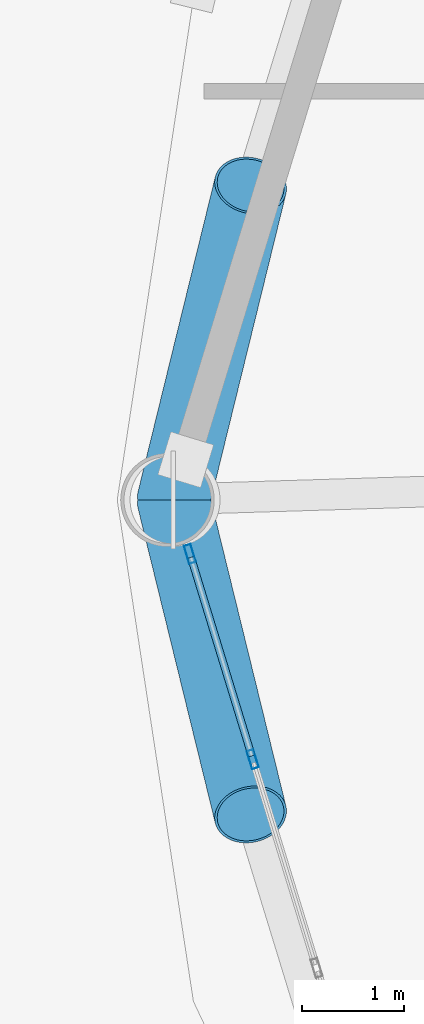
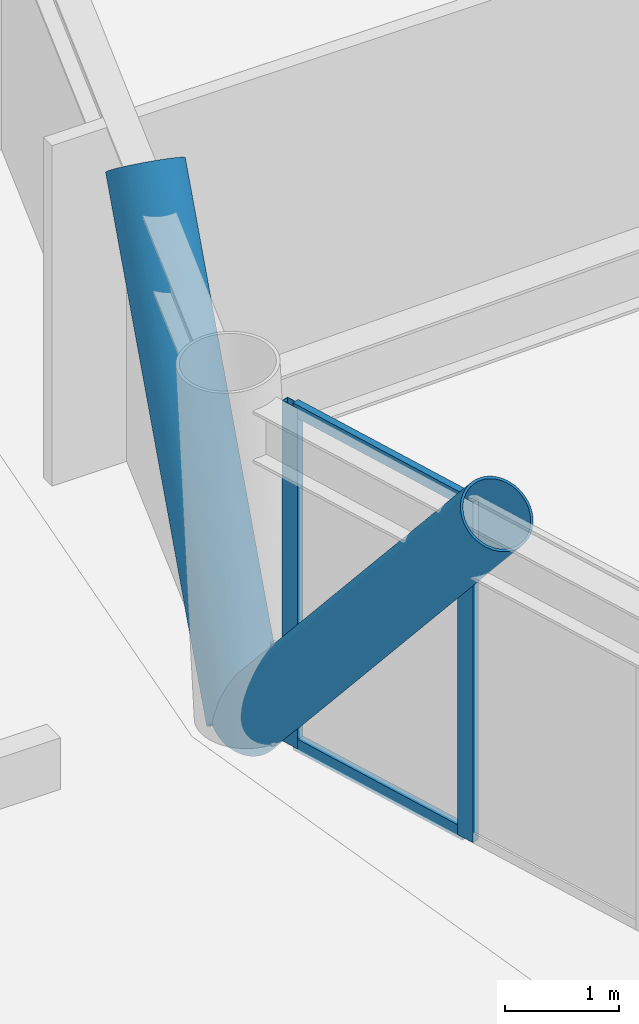
# One storey, part 7 of 24: 6 members, 1 element without a shape of its own.
"""IFC4 building model written with IfcOpenShell, lengths in metres."""

from ifc_helpers import new_model, si_unit, direction, frame, origin, origin_2d, place, context, subcontext, project, spatial, hollow_rectangle, hollow_circle, extrude, material, layer, layer_set, material_profile, profile_set, type_object, element, aggregate, save


model = new_model("IFC4")

# Units and contexts
model_context = context("Model", 3, precision=1e-05, world=origin(), true_north=direction((0.0, 1.0)))
body_context = subcontext(model_context, "Body", "Model", "MODEL_VIEW")
ifc_project = project(units=[si_unit("LENGTHUNIT", "METRE"), si_unit("AREAUNIT", "SQUARE_METRE"), si_unit("VOLUMEUNIT", "CUBIC_METRE"), si_unit("PLANEANGLEUNIT", "RADIAN"), si_unit("MASSUNIT", "GRAM", prefix="KILO")], contexts=[model_context])

# Site, building, storey
site_placement = place(None, origin())
site = spatial("IfcSite", under=ifc_project, at=site_placement, CompositionType="ELEMENT")
building_placement = place(site_placement, origin())
building = spatial("IfcBuilding", under=site, at=building_placement, Name="Varnakorn Sky Granary", CompositionType="ELEMENT")
storey_placement = place(building_placement, frame((0.0, 0.0, 27.60009765625)))
storey = spatial("IfcBuildingStorey", under=building, at=storey_placement, Name="L06", CompositionType="ELEMENT", Elevation=27.60009765625)

# Curtain wall, members
ifc_material_1 = material(Name="Anodised Bronze Aluminium Alloy 6063-T6", Category="aluminium")
ifc_layer = layer(ifc_material_1, 0.18994140625, Name="Anodised Bronze Aluminium Alloy 6063-T6")
ifc_layer_set = layer_set([ifc_layer], Name="Anodised Bronze Aluminium Alloy 6063-T6")
curtain_wall_type = type_object("IfcCurtainWallType", Name="CW-FRM-1", PredefinedType="USERDEFINED", material=ifc_layer_set)
curtain_wall_placement = place(storey_placement, origin())
curtain_wall = element("IfcCurtainWall", 1, at=curtain_wall_placement, inside=storey, type_object=curtain_wall_type, Name="Unitised Curtain Wall CW3 CW-L06-B07", ObjectType="CURTAIN WALL", PredefinedType="USERDEFINED")
ifc_material_profile_1 = material_profile(ifc_material_1, hollow_rectangle(XDim=0.070068359375, YDim=0.18505859375, WallThickness=0.00390625, at=origin_2d()), Name="ALU MULL 70x185")
ifc_profile_set_1 = profile_set([ifc_material_profile_1], Name="Anodised Bronze Aluminium Alloy 6063-T6")
member_type_1 = type_object("IfcMemberType", Name="CW-FRM-1-MULL", PredefinedType="MULLION", material=ifc_profile_set_1)
member_1_placement = place(storey_placement, frame((-20.773681640625, -2.53662109375, 0.0), z_axis=(0.0, 0.0, 1.0), x_axis=(-0.956203967275, -0.292701166664, 0.0)))
member_1 = element("IfcMember", 2, at=member_1_placement, type_object=member_type_1, Name="CW3 mullion 4", PredefinedType="MULLION", context=body_context, shape_type="SweptSolid", body=[
    extrude(hollow_rectangle(XDim=0.070068359375, YDim=0.18505859375, WallThickness=0.00390625, at=origin_2d()), origin(), (0.0, 0.0, 1.0), 3.639892578125),
])
member_2_placement = place(storey_placement, frame((-21.388427734375, -0.52783203125, 0.0), z_axis=(0.0, 0.0, 1.0), x_axis=(-0.956203967275, -0.292701166664, 0.0)))
member_2 = element("IfcMember", 3, at=member_2_placement, type_object=member_type_1, Name="CW3 mullion 5", PredefinedType="MULLION", context=body_context, shape_type="SweptSolid", body=[
    extrude(hollow_rectangle(XDim=0.070068359375, YDim=0.18505859375, WallThickness=0.00390625, at=origin_2d()), origin(), (0.0, 0.0, 1.0), 3.639892578125),
])
ifc_material_profile_2 = material_profile(ifc_material_1, hollow_rectangle(XDim=0.070068359375, YDim=0.139892578125, WallThickness=0.00341796875, at=origin_2d()), Name="ALU TRAN 70x140")
ifc_profile_set_2 = profile_set([ifc_material_profile_2], Name="Anodised Bronze Aluminium Alloy 6063-T6")
member_type_2 = type_object("IfcMemberType", Name="CW-FRM-1-TRAN", PredefinedType="USERDEFINED", material=ifc_profile_set_2)
member_3_placement = place(storey_placement, frame((-20.783935546875, -2.503173828125, 0.034912109375), z_axis=(-0.292615567413, 0.956230165654, 0.0), x_axis=(-0.956230165654, -0.292615567413, 0.0)))
member_3 = element("IfcMember", 4, at=member_3_placement, type_object=member_type_2, Name="CW3 transom 4.1", ObjectType="TRANSOM", PredefinedType="USERDEFINED", context=body_context, shape_type="SweptSolid", body=[
    extrude(hollow_rectangle(XDim=0.070068359375, YDim=0.139892578125, WallThickness=0.00341796875, at=origin_2d()), origin(), (0.0, 0.0, 1.0), 2.03076171875),
])
member_4_placement = place(storey_placement, frame((-20.783935546875, -2.503173828125, 3.60498046875), z_axis=(-0.292615567413, 0.956230165654, 0.0), x_axis=(-0.956230165654, -0.292615567413, 0.0)))
member_4 = element("IfcMember", 5, at=member_4_placement, type_object=member_type_2, Name="CW3 transom 4.2", ObjectType="TRANSOM", PredefinedType="USERDEFINED", context=body_context, shape_type="SweptSolid", body=[
    extrude(hollow_rectangle(XDim=0.070068359375, YDim=0.139892578125, WallThickness=0.00341796875, at=origin_2d()), origin(), (0.0, 0.0, 1.0), 2.03076171875),
])
aggregate(curtain_wall, [member_1, member_2, member_3, member_4])

# Members
ifc_material_2 = material(Name="Steel S460M", Category="steel")
ifc_material_profile_3 = material_profile(ifc_material_2, hollow_circle(Radius=0.35546875, WallThickness=0.02490234375, at=origin_2d()), Name="CHS 711x25")
ifc_profile_set_3 = profile_set([ifc_material_profile_3], Name="Steel S460M")
member_type_3 = type_object("IfcMemberType", Name="MB-DIAG-T0", PredefinedType="BRACE", material=ifc_profile_set_3)
for number, where, z_axis, x_axis, name in (
    (6, (-21.550048828125, 0.0, 0.0), (0.152822392472, 0.622904467115, 0.767225743317), (-0.971198396067, 0.238272271732, 0.0), "Perimeter CHS Diagrid Brace DG06 L06"),
    (7, (-21.550048828125, 0.0, 0.0), (0.152822392472, -0.622904467115, 0.767225743317), (0.971198396067, 0.238272271732, 0.0), "Perimeter CHS Diagrid Brace DG07 L06"),
):
    element("IfcMember", number, at=place(storey_placement, frame(where, z_axis=z_axis, x_axis=x_axis)), inside=storey, type_object=member_type_3, Name=name, PredefinedType="BRACE", context=body_context, shape_type="SweptSolid", body=[
        extrude(hollow_circle(Radius=0.35546875, WallThickness=0.02490234375, at=origin_2d()), origin(), (0.0, 0.0, 1.0), 4.939697265625),
    ])

save(model, "model.ifc")
